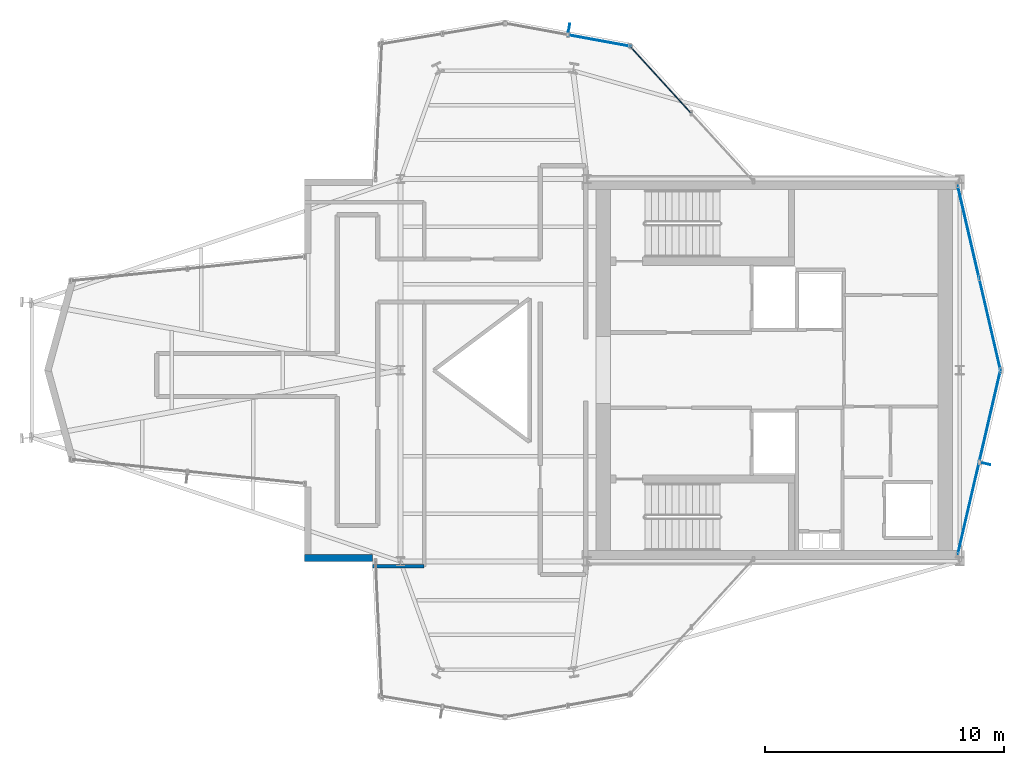
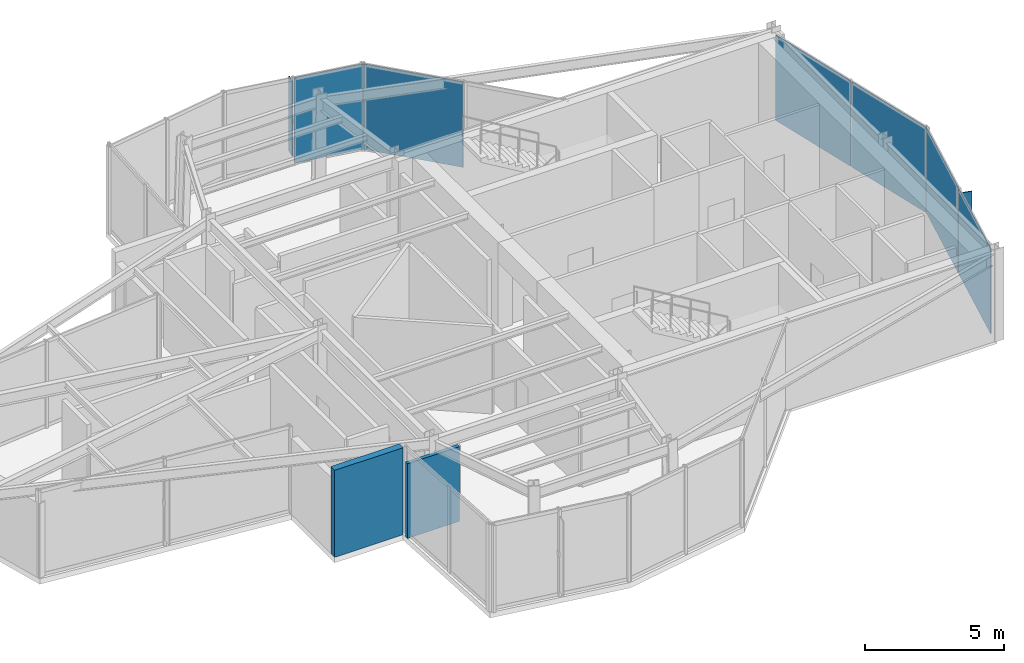
# One storey, part 10 of 13: 8 plates, 2 walls, 4 elements without a shape of their own.
"""IFC4 building model written with IfcOpenShell, lengths in metres."""

from ifc_helpers import new_model, si_unit, direction, frame, frame_2d, origin, origin_2d, place, context, subcontext, project, spatial, rectangle, extrude, material, layer, layer_set, type_object, element, aggregate, save


model = new_model("IFC4")

# Units and contexts
model_context = context("Model", 3, precision=1e-05, world=origin(), true_north=direction((0.0, 1.0)))
body_context = subcontext(model_context, "Body", "Model", "MODEL_VIEW")
ifc_project = project(units=[si_unit("LENGTHUNIT", "METRE"), si_unit("AREAUNIT", "SQUARE_METRE"), si_unit("VOLUMEUNIT", "CUBIC_METRE"), si_unit("PLANEANGLEUNIT", "RADIAN"), si_unit("MASSUNIT", "GRAM", prefix="KILO")], contexts=[model_context])

# Site, building, storey
site_placement = place(None, origin())
site = spatial("IfcSite", under=ifc_project, at=site_placement, CompositionType="ELEMENT")
building_placement = place(site_placement, origin())
building = spatial("IfcBuilding", under=site, at=building_placement, Name="Veymaron Broadcast Tower", CompositionType="ELEMENT")
storey_placement = place(building_placement, frame((0.0, 0.0, 287.10009765625)))
storey = spatial("IfcBuildingStorey", under=building, at=storey_placement, Name="L67", CompositionType="ELEMENT", Elevation=287.10009765625)

# Curtain wall, plates
ifc_material_1 = material(Name="Anodised aluminium AA 6063-T6 and laminated low-E dark glass", Category="aluminium")
ifc_layer_1 = layer(ifc_material_1, 0.179931640625)
ifc_layer_set_1 = layer_set([ifc_layer_1], Name="Anodised aluminium AA 6063-T6 and laminated low-E dark glass")
curtain_wall_type = type_object("IfcCurtainWallType", Name="CW-SYS-06", PredefinedType="NOTDEFINED", material=ifc_layer_set_1)
curtain_wall_1_placement = place(storey_placement, origin())
curtain_wall_1 = element("IfcCurtainWall", 1, at=curtain_wall_1_placement, inside=storey, type_object=curtain_wall_type, Name="L67 dark-glass curtain wall CW-L67-E2-1", PredefinedType="NOTDEFINED")
ifc_material_2 = material(Name="Insulated dark-anodised aluminium spandrel panel 40 mm", Category="aluminium")
ifc_layer_2 = layer(ifc_material_2, 0.0400390625)
ifc_layer_set_2 = layer_set([ifc_layer_2], Name="Insulated dark-anodised aluminium spandrel panel 40 mm")
plate_type_1 = type_object("IfcPlateType", Name="CW-PNL-03", PredefinedType="CURTAIN_PANEL", material=ifc_layer_set_2)
plate_1_placement = place(storey_placement, frame((54.96826171875, 18.20654296875, 0.039794921875), z_axis=(0.0, 0.0, 1.0), x_axis=(0.226039295589, 0.974118184231, 0.0)))
plate_1 = element("IfcPlate", 2, at=plate_1_placement, type_object=plate_type_1, Name="CW-L67-E2-1 unitised curtain panel 0", PredefinedType="CURTAIN_PANEL", context=body_context, shape_type="SweptSolid", body=[
    extrude(rectangle(XDim=3.926513671875, YDim=0.0400390625, at=origin_2d()), origin(), (0.0, 0.0, 1.0), 3.72998046875),
])
plate_2_placement = place(storey_placement, frame((55.869384765625, 22.08984375, 0.039794921875), z_axis=(0.0, 0.0, 1.0), x_axis=(0.226039295589, 0.974118184231, 0.0)))
plate_2 = element("IfcPlate", 3, at=plate_2_placement, type_object=plate_type_1, Name="CW-L67-E2-1 unitised curtain panel 1", PredefinedType="CURTAIN_PANEL", context=body_context, shape_type="SweptSolid", body=[
    extrude(rectangle(XDim=3.926513671875, YDim=0.0400390625, at=origin_2d()), origin(), (0.0, 0.0, 1.0), 3.72998046875),
])
aggregate(curtain_wall_1, [plate_1, plate_2])

curtain_wall_2_placement = place(storey_placement, origin())
curtain_wall_2 = element("IfcCurtainWall", 4, at=curtain_wall_2_placement, inside=storey, type_object=curtain_wall_type, Name="L67 dark-glass curtain wall CW-L67-E3-1", PredefinedType="NOTDEFINED")
plate_3_placement = place(storey_placement, frame((55.869384765625, 25.91015625, 0.039794921875), z_axis=(0.0, 0.0, 1.0), x_axis=(-0.226039295589, 0.974118184231, 0.0)))
plate_3 = element("IfcPlate", 5, at=plate_3_placement, type_object=plate_type_1, Name="CW-L67-E3-1 unitised curtain panel 0", PredefinedType="CURTAIN_PANEL", context=body_context, shape_type="SweptSolid", body=[
    extrude(rectangle(XDim=3.926513671875, YDim=0.0400390625, at=origin_2d()), origin(), (0.0, 0.0, 1.0), 3.72998046875),
])
plate_4_placement = place(storey_placement, frame((54.96826171875, 29.79345703125, 0.039794921875), z_axis=(0.0, 0.0, 1.0), x_axis=(-0.226039295589, 0.974118184231, 0.0)))
plate_4 = element("IfcPlate", 6, at=plate_4_placement, type_object=plate_type_1, Name="CW-L67-E3-1 unitised curtain panel 1", PredefinedType="CURTAIN_PANEL", context=body_context, shape_type="SweptSolid", body=[
    extrude(rectangle(XDim=3.926513671875, YDim=0.0400390625, at=origin_2d()), origin(), (0.0, 0.0, 1.0), 3.72998046875),
])
aggregate(curtain_wall_2, [plate_3, plate_4])

# Curtain wall, plate
curtain_wall_3_placement = place(storey_placement, origin())
curtain_wall_3 = element("IfcCurtainWall", 7, at=curtain_wall_3_placement, inside=storey, type_object=curtain_wall_type, Name="L67 dark-glass curtain wall CW-L67-E5-1", PredefinedType="NOTDEFINED")
plate_5_placement = place(storey_placement, frame((42.072021484375, 36.166259765625, 0.039794921875), z_axis=(0.0, 0.0, 1.0), x_axis=(-0.674585884365, 0.738196372665, 0.0)))
plate_5 = element("IfcPlate", 8, at=plate_5_placement, type_object=plate_type_1, Name="CW-L67-E5-1 unitised curtain panel 1", PredefinedType="CURTAIN_PANEL", context=body_context, shape_type="SweptSolid", body=[
    extrude(rectangle(XDim=3.787841796875, YDim=0.0400390625, at=origin_2d()), origin(), (0.0, 0.0, 1.0), 3.72998046875),
])
aggregate(curtain_wall_3, [plate_5])

curtain_wall_4_placement = place(storey_placement, origin())
curtain_wall_4 = element("IfcCurtainWall", 9, at=curtain_wall_4_placement, inside=storey, type_object=curtain_wall_type, Name="L67 dark-glass curtain wall CW-L67-E6-1", PredefinedType="NOTDEFINED")
plate_6_placement = place(storey_placement, frame((39.5283203125, 37.7861328125, 0.039794921875), z_axis=(0.0, 0.0, 1.0), x_axis=(-0.983562017505, 0.180570644685, 0.0)))
plate_6 = element("IfcPlate", 10, at=plate_6_placement, type_object=plate_type_1, Name="CW-L67-E6-1 unitised curtain panel 0", PredefinedType="CURTAIN_PANEL", context=body_context, shape_type="SweptSolid", body=[
    extrude(rectangle(XDim=2.632568359375, YDim=0.0400390625, at=origin_2d()), origin(), (0.0, 0.0, 1.0), 3.72998046875),
])
aggregate(curtain_wall_4, [plate_6])

# Plates
ifc_material_3 = material(Name="Dark-anodised aluminium AA 6061-T6", Category="aluminium")
ifc_layer_3 = layer(ifc_material_3, 0.030029296875)
ifc_layer_set_3 = layer_set([ifc_layer_3], Name="Dark-anodised aluminium AA 6061-T6")
plate_type_2 = type_object("IfcPlateType", Name="FIN-CHEV-02", PredefinedType="USERDEFINED", material=ifc_layer_set_3)
for number, where, z_axis, x_axis, name in (
    (11, (55.7158203125, 20.079345703125, 0.2666015625), (0.0, 0.0, 1.0), (0.974118184231, -0.226039295589, 0.0), "CW-L67-E2-1 chevron fin 1"),
    (12, (38.25927734375, 38.329345703125, 0.2666015625), (0.0, 0.0, 1.0), (0.180570644685, 0.983562017505, 0.0), "CW-L67-E6-1 chevron fin 1"),
):
    element("IfcPlate", number, at=place(storey_placement, frame(where, z_axis=z_axis, x_axis=x_axis)), inside=storey, type_object=plate_type_2, Name=name, ObjectType="FIN", PredefinedType="USERDEFINED", context=body_context, shape_type="SweptSolid", body=[
        extrude(rectangle(XDim=0.35009765625, YDim=0.034912109375, at=origin_2d()), origin(), (0.0, 0.0, 1.0), 3.276611328125),
    ])

# Walls
ifc_material_4 = material(Name="Precast concrete C40/50", Category="concrete")
ifc_layer_4 = layer(ifc_material_4, 0.280029296875)
ifc_layer_set_4 = layer_set([ifc_layer_4], Name="Precast concrete C40/50")
wall_type_1 = type_object("IfcWallType", Name="WALL-EXT-280", PredefinedType="STANDARD", material=ifc_layer_set_4)
wall_1_placement = place(storey_placement, frame((27.185546875, 16.139892578125, 0.0), z_axis=(0.0, 0.0, 1.0), x_axis=(1.0, 0.0, 0.0)))
element("IfcWall", 13, at=wall_1_placement, inside=storey, type_object=wall_type_1, Name="L67 notched corner facade pier 16-1", PredefinedType="STANDARD", context=body_context, shape_type="SweptSolid", body=[
    extrude(rectangle(XDim=2.83642578125, YDim=0.280029296875, at=frame_2d((1.418212890625, 0.0))), origin(), (0.0, 0.0, 1.0), 3.809814453125),
])
ifc_material_5 = material(Name="Fire-rated laminated glass in aluminium frame", Category="aluminium")
ifc_layer_5 = layer(ifc_material_5, 0.14990234375)
ifc_layer_set_5 = layer_set([ifc_layer_5], Name="Fire-rated laminated glass in aluminium frame")
wall_type_2 = type_object("IfcWallType", Name="WALL-GLZ-150", PredefinedType="MOVABLE", material=ifc_layer_set_5)
wall_2_placement = place(storey_placement, frame((30.031494140625, 15.7939453125, 0.0), z_axis=(0.0, 0.0, 1.0), x_axis=(1.0, 0.0, 0.0)))
element("IfcWall", 14, at=wall_2_placement, inside=storey, type_object=wall_type_2, Name="L67 partition IW-L67-P21", PredefinedType="MOVABLE", context=body_context, shape_type="SweptSolid", body=[
    extrude(rectangle(XDim=2.16259765625, YDim=0.14990234375, at=frame_2d((1.081298828125, 0.0))), origin(), (0.0, 0.0, 1.0), 3.27001953125),
])

save(model, "model.ifc")
